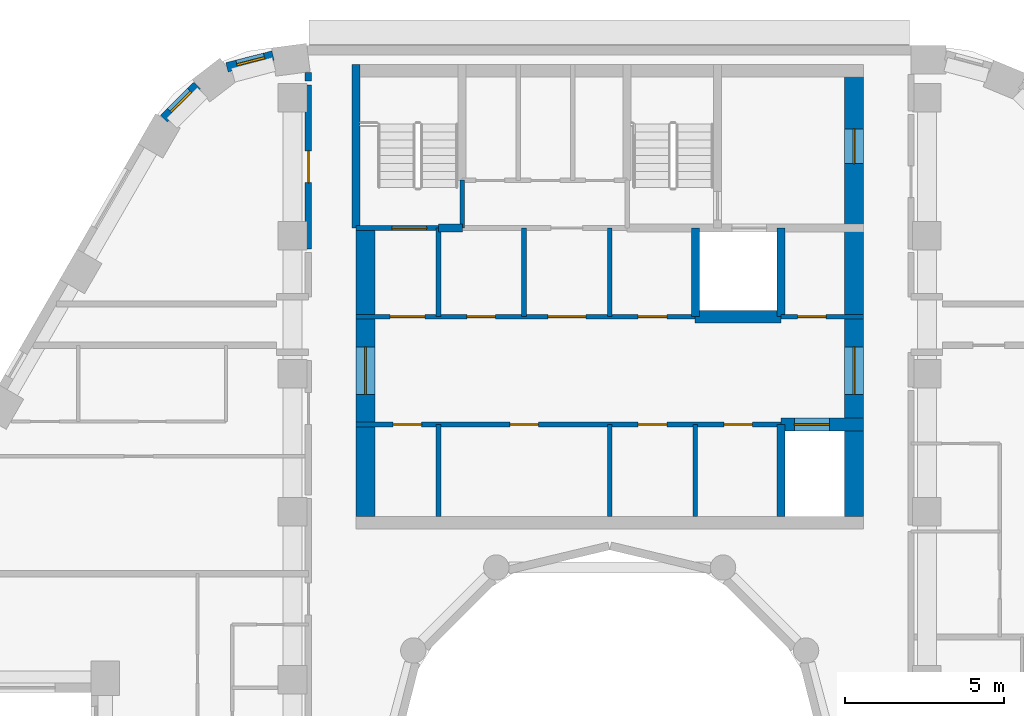
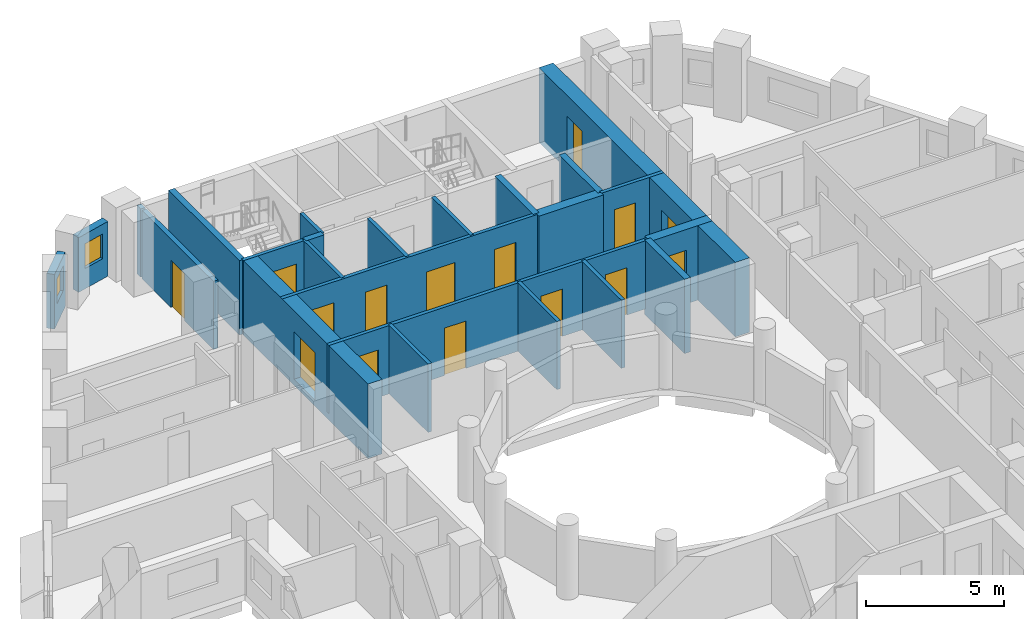
# One storey, part 7 of 12: 24 walls, 15 doors, 2 windows, 17 openings.
"""IFC4 building model written with IfcOpenShell, lengths in metres."""

from ifc_helpers import new_model, si_unit, direction, frame, frame_2d, origin, place, context, subcontext, project, spatial, rectangle, extrude, material, layer, layer_set, type_object, element, fill, save


model = new_model("IFC4")

# Units and contexts
model_context = context("Model", 3, precision=1e-05, world=origin(), true_north=direction((0.0, 1.0)))
body_context = subcontext(model_context, "Body", "Model", "MODEL_VIEW")
ifc_project = project(units=[si_unit("LENGTHUNIT", "METRE"), si_unit("AREAUNIT", "SQUARE_METRE"), si_unit("VOLUMEUNIT", "CUBIC_METRE"), si_unit("PLANEANGLEUNIT", "RADIAN"), si_unit("MASSUNIT", "GRAM", prefix="KILO")], contexts=[model_context])

# Site, building, storey
site_placement = place(None, origin())
site = spatial("IfcSite", under=ifc_project, at=site_placement, CompositionType="ELEMENT")
building_placement = place(site_placement, origin())
building = spatial("IfcBuilding", under=site, at=building_placement, Name="Nakaniwa Court", CompositionType="ELEMENT")
storey_placement = place(building_placement, frame((0.0, 0.0, 255.89990234375)))
storey = spatial("IfcBuildingStorey", under=building, at=storey_placement, Name="L67", CompositionType="ELEMENT", Elevation=255.89990234375)

# Wall, opening, door
ifc_material_1 = material(Name="Acoustic double stud partition")
ifc_layer_1 = layer(ifc_material_1, 0.199951171875)
ifc_layer_set_1 = layer_set([ifc_layer_1], Name="Acoustic double stud partition")
wall_type_1 = type_object("IfcWallType", Name="Acoustic double stud partition 200", PredefinedType="PARTITIONING", material=ifc_layer_set_1)
wall_1_placement = place(storey_placement, frame((70.5, 96.237060546875, 0.0), z_axis=(0.0, 0.0, 1.0), x_axis=(0.0, 1.0, 0.0)))
wall_1 = element("IfcWall", 1, at=wall_1_placement, inside=storey, type_object=wall_type_1, Name="Partition PW-094", PredefinedType="PARTITIONING", context=body_context, shape_type="SweptSolid", body=[
    extrude(rectangle(XDim=5.176025390625, YDim=0.199951171875, at=frame_2d((2.587890625, 0.0))), origin(), (0.0, 0.0, 1.0), 3.025146484375),
])
opening_1_placement = place(wall_1_placement, frame((2.087890625, 0.0, 0.0)))
opening_1 = element("IfcOpeningElement", 2, at=opening_1_placement, cuts=wall_1, Name="Opening D-02-06", PredefinedType="OPENING", context=body_context, shape_type="SweptSolid", body=[
    extrude(rectangle(XDim=1.0, YDim=2.10009765625, at=frame_2d((0.5, 1.050048828125))), frame((0.0, 0.10986328125, 0.0), z_axis=(0.0, -1.0, 0.0), x_axis=(1.0, 0.0, 0.0)), (0.0, 0.0, 1.0), 0.219970703125),
])
ifc_material_2 = material(Name="Solid core timber door set, black veneer", Category="wood")
door_type_1 = type_object("IfcDoorType", Name="Internal door 1000", OperationType="NOTDEFINED", PredefinedType="DOOR", material=ifc_material_2)
door_1_placement = place(opening_1_placement, origin())
door_1 = element("IfcDoor", 3, at=door_1_placement, inside=storey, type_object=door_type_1, Name="Door D-02-06 L67-062", OperationType="SINGLE_SWING_LEFT", OverallHeight=2.10009765625, OverallWidth=1.0, PredefinedType="DOOR", context=body_context, shape_type="SweptSolid", body=[
    extrude(rectangle(XDim=1.0, YDim=2.10009765625, at=frame_2d((0.5, 1.050048828125))), frame((0.0, 0.02490234375, 0.0), z_axis=(0.0, -1.0, 0.0), x_axis=(1.0, 0.0, 0.0)), (0.0, 0.0, 1.0), 0.050048828125),
])
fill(opening_1, door_1)

# Wall
wall_2_placement = place(storey_placement, frame((70.5, 101.527099609375, 0.0), z_axis=(0.0, 0.0, 1.0), x_axis=(0.0, 1.0, 0.0)))
element("IfcWall", 4, at=wall_2_placement, inside=storey, type_object=wall_type_1, Name="Partition PW-095", PredefinedType="PARTITIONING", context=body_context, shape_type="SweptSolid", body=[
    extrude(rectangle(XDim=0.273681640625, YDim=0.199951171875, at=frame_2d((0.13671875, 0.0))), origin(), (0.0, 0.0, 1.0), 3.025146484375),
])

# Wall, opening, window
ifc_material_3 = material(Name="Charcoal ceramic cladding")
ifc_layer_2 = layer(ifc_material_3, 0.02, Name="Ceramic cladding")
ifc_material_4 = material(Name="Ventilated air cavity")
ifc_layer_3 = layer(ifc_material_4, 0.04, ventilated=True, Name="Ventilated cavity")
ifc_material_5 = material(Name="Mineral wool insulation")
ifc_layer_4 = layer(ifc_material_5, 0.1, Name="Insulation")
ifc_material_6 = material(Name="Cement bonded sheathing board")
ifc_layer_5 = layer(ifc_material_6, 0.012, Name="Sheathing")
ifc_material_7 = material(Name="Cold-formed galvanised stud frame with mineral wool infill")
ifc_layer_6 = layer(ifc_material_7, 0.1, Name="Stud frame")
ifc_material_8 = material(Name="Fire-rated gypsum plasterboard lining")
ifc_layer_7 = layer(ifc_material_8, 0.028, Name="Lining")
ifc_layer_set_2 = layer_set([ifc_layer_2, ifc_layer_3, ifc_layer_4, ifc_layer_5, ifc_layer_6, ifc_layer_7], Name="Charcoal ceramic faced external wall system")
wall_type_2 = type_object("IfcWallType", Name="Black ceramic faced external wall 300", PredefinedType="SOLIDWALL", material=ifc_layer_set_2)
wall_3_placement = place(storey_placement, frame((69.386474609375, 102.333251953125, 0.0), z_axis=(0.0, 0.0, 1.0), x_axis=(-0.968895303033, -0.247470991757, 0.0)))
wall_3 = element("IfcWall", 5, at=wall_3_placement, inside=storey, type_object=wall_type_2, Name="L67 external wall 09", PredefinedType="SOLIDWALL", context=body_context, shape_type="SweptSolid", body=[
    extrude(rectangle(XDim=1.50048828125, YDim=0.300048828125, at=frame_2d((0.750244140625, 0.0))), origin(), (0.0, 0.0, 1.0), 2.425048828125),
])
opening_2_placement = place(wall_3_placement, frame((0.27587890625, 0.0, 0.89990234375)))
opening_2 = element("IfcOpeningElement", 6, at=opening_2_placement, cuts=wall_3, Name="Opening W9.10", PredefinedType="OPENING", context=body_context, shape_type="SweptSolid", body=[
    extrude(rectangle(XDim=0.89990234375, YDim=1.10009765625, at=frame_2d((0.449951171875, 0.550048828125))), frame((0.0, 0.159912109375, 0.0), z_axis=(0.0, -1.0, 0.0), x_axis=(1.0, 0.0, 0.0)), (0.0, 0.0, 1.0), 0.320068359375),
])
ifc_material_9 = material(Name="Black anodised aluminium frame with dark low-E laminated double glazing", Category="aluminium")
window_type = type_object("IfcWindowType", Name="Dark glass window 900x1100 sill 900", PartitioningType="SINGLE_PANEL", PredefinedType="WINDOW", material=ifc_material_9)
window_1_placement = place(opening_2_placement, origin())
window_1 = element("IfcWindow", 7, at=window_1_placement, inside=storey, type_object=window_type, Name="L67 habitable room window 09-0", OverallHeight=1.10009765625, OverallWidth=0.89990234375, PartitioningType="SINGLE_PANEL", PredefinedType="WINDOW", context=body_context, shape_type="SweptSolid", body=[
    extrude(rectangle(XDim=0.89990234375, YDim=1.10009765625, at=frame_2d((0.449951171875, 0.550048828125))), frame((0.0, 0.030029296875, 0.0), z_axis=(0.0, -1.0, 0.0), x_axis=(1.0, 0.0, 0.0)), (0.0, 0.0, 1.0), 0.06005859375),
])
fill(opening_2, window_1)

wall_4_placement = place(storey_placement, frame((66.99560546875, 101.388427734375, 0.0), z_axis=(0.0, 0.0, 1.0), x_axis=(-0.708589353117, -0.705621094249, 0.0)))
wall_4 = element("IfcWall", 8, at=wall_4_placement, inside=storey, type_object=wall_type_2, Name="L67 external wall 10", PredefinedType="SOLIDWALL", context=body_context, shape_type="SweptSolid", body=[
    extrude(rectangle(XDim=1.48046875, YDim=0.300048828125, at=frame_2d((0.740234375, 0.0))), origin(), (0.0, 0.0, 1.0), 2.425048828125),
])
opening_3_placement = place(wall_4_placement, frame((0.27978515625, 0.0, 0.89990234375)))
opening_3 = element("IfcOpeningElement", 9, at=opening_3_placement, cuts=wall_4, Name="Opening W9.11", PredefinedType="OPENING", context=body_context, shape_type="SweptSolid", body=[
    extrude(rectangle(XDim=0.89990234375, YDim=1.10009765625, at=frame_2d((0.449951171875, 0.550048828125))), frame((0.0, 0.159912109375, 0.0), z_axis=(0.0, -1.0, 0.0), x_axis=(1.0, 0.0, 0.0)), (0.0, 0.0, 1.0), 0.320068359375),
])
window_2_placement = place(opening_3_placement, origin())
window_2 = element("IfcWindow", 10, at=window_2_placement, inside=storey, type_object=window_type, Name="L67 habitable room window 10-0", OverallHeight=1.10009765625, OverallWidth=0.89990234375, PartitioningType="SINGLE_PANEL", PredefinedType="WINDOW", context=body_context, shape_type="SweptSolid", body=[
    extrude(rectangle(XDim=0.89990234375, YDim=1.10009765625, at=frame_2d((0.449951171875, 0.550048828125))), frame((0.0, 0.030029296875, 0.0), z_axis=(0.0, -1.0, 0.0), x_axis=(1.0, 0.0, 0.0)), (0.0, 0.0, 1.0), 0.06005859375),
])
fill(opening_3, window_2)

# Walls
ifc_material_10 = material(Name="Blockwork partition", Category="masonry")
ifc_layer_8 = layer(ifc_material_10, 0.14990234375)
ifc_layer_set_3 = layer_set([ifc_layer_8], Name="Blockwork partition")
wall_type_3 = type_object("IfcWallType", Name="Blockwork partition 150", PredefinedType="PARTITIONING", material=ifc_layer_set_3)
wall_5_placement = place(storey_placement, frame((74.60009765625, 87.800048828125, 0.0), z_axis=(0.0, 0.0, 1.0), x_axis=(0.0, 1.0, 0.0)))
element("IfcWall", 11, at=wall_5_placement, inside=storey, type_object=wall_type_3, Name="Partition PW-001", PredefinedType="PARTITIONING", context=body_context, shape_type="SweptSolid", body=[
    extrude(rectangle(XDim=2.89990234375, YDim=0.14990234375, at=frame_2d((1.449951171875, 0.0))), origin(), (0.0, 0.0, 1.0), 3.025146484375),
])
wall_6_placement = place(storey_placement, frame((74.60009765625, 94.10009765625, 0.0), z_axis=(0.0, 0.0, 1.0), x_axis=(0.0, 1.0, 0.0)))
element("IfcWall", 12, at=wall_6_placement, inside=storey, type_object=wall_type_3, Name="Partition PW-002", PredefinedType="PARTITIONING", context=body_context, shape_type="SweptSolid", body=[
    extrude(rectangle(XDim=2.7998046875, YDim=0.14990234375, at=frame_2d((1.39990234375, 0.0))), origin(), (0.0, 0.0, 1.0), 3.025146484375),
])

# Wall, openings, doors
wall_7_placement = place(storey_placement, frame((85.39990234375, 90.699951171875, 0.0), z_axis=(0.0, 0.0, 1.0), x_axis=(-1.0, 0.0, 0.0)))
wall_7 = element("IfcWall", 13, at=wall_7_placement, inside=storey, type_object=wall_type_3, Name="Partition PW-003", PredefinedType="PARTITIONING", context=body_context, shape_type="SweptSolid", body=[
    extrude(rectangle(XDim=13.39990234375, YDim=0.14990234375, at=frame_2d((6.699951171875, 0.0))), origin(), (0.0, 0.0, 1.0), 3.025146484375),
])
opening_4_placement = place(wall_7_placement, frame((11.324951171875, 0.0, 0.0)))
opening_4 = element("IfcOpeningElement", 14, at=opening_4_placement, cuts=wall_7, Name="Opening D-05-01", PredefinedType="OPENING", context=body_context, shape_type="SweptSolid", body=[
    extrude(rectangle(XDim=0.89990234375, YDim=2.10009765625, at=frame_2d((0.449951171875, 1.050048828125))), frame((0.0, 0.0849609375, 0.0), z_axis=(0.0, -1.0, 0.0), x_axis=(1.0, 0.0, 0.0)), (0.0, 0.0, 1.0), 0.169921875),
])
opening_5_placement = place(wall_7_placement, frame((7.64990234375, 0.0, 0.0)))
opening_5 = element("IfcOpeningElement", 15, at=opening_5_placement, cuts=wall_7, Name="Opening D-05-02", PredefinedType="OPENING", context=body_context, shape_type="SweptSolid", body=[
    extrude(rectangle(XDim=0.89990234375, YDim=2.10009765625, at=frame_2d((0.449951171875, 1.050048828125))), frame((0.0, 0.0849609375, 0.0), z_axis=(0.0, -1.0, 0.0), x_axis=(1.0, 0.0, 0.0)), (0.0, 0.0, 1.0), 0.169921875),
])
opening_6_placement = place(wall_7_placement, frame((3.60009765625, 0.0, 0.0)))
opening_6 = element("IfcOpeningElement", 16, at=opening_6_placement, cuts=wall_7, Name="Opening D-05-03", PredefinedType="OPENING", context=body_context, shape_type="SweptSolid", body=[
    extrude(rectangle(XDim=0.89990234375, YDim=2.10009765625, at=frame_2d((0.449951171875, 1.050048828125))), frame((0.0, 0.0849609375, 0.0), z_axis=(0.0, -1.0, 0.0), x_axis=(1.0, 0.0, 0.0)), (0.0, 0.0, 1.0), 0.169921875),
])
opening_7_placement = place(wall_7_placement, frame((0.89990234375, 0.0, 0.0)))
opening_7 = element("IfcOpeningElement", 17, at=opening_7_placement, cuts=wall_7, Name="Opening D-05-04", PredefinedType="OPENING", context=body_context, shape_type="SweptSolid", body=[
    extrude(rectangle(XDim=0.89990234375, YDim=2.10009765625, at=frame_2d((0.449951171875, 1.050048828125))), frame((0.0, 0.0849609375, 0.0), z_axis=(0.0, -1.0, 0.0), x_axis=(1.0, 0.0, 0.0)), (0.0, 0.0, 1.0), 0.169921875),
])
ifc_material_11 = material(Name="Fire rated steel door set", Category="steel")
door_type_2 = type_object("IfcDoorType", Name="Service room door 900", OperationType="NOTDEFINED", PredefinedType="DOOR", material=ifc_material_11)
door_2_placement = place(opening_4_placement, origin())
door_2 = element("IfcDoor", 18, at=door_2_placement, inside=storey, type_object=door_type_2, Name="Door D-05-01 L67-001", OperationType="SINGLE_SWING_RIGHT", OverallHeight=2.10009765625, OverallWidth=0.89990234375, PredefinedType="DOOR", context=body_context, shape_type="SweptSolid", body=[
    extrude(rectangle(XDim=0.89990234375, YDim=2.10009765625, at=frame_2d((0.449951171875, 1.050048828125))), frame((0.0, 0.02490234375, 0.0), z_axis=(0.0, -1.0, 0.0), x_axis=(1.0, 0.0, 0.0)), (0.0, 0.0, 1.0), 0.050048828125),
])
fill(opening_4, door_2)
door_3_placement = place(opening_5_placement, origin())
door_3 = element("IfcDoor", 19, at=door_3_placement, inside=storey, type_object=door_type_2, Name="Door D-05-02 L67-002", OperationType="SINGLE_SWING_LEFT", OverallHeight=2.10009765625, OverallWidth=0.89990234375, PredefinedType="DOOR", context=body_context, shape_type="SweptSolid", body=[
    extrude(rectangle(XDim=0.89990234375, YDim=2.10009765625, at=frame_2d((0.449951171875, 1.050048828125))), frame((0.0, 0.02490234375, 0.0), z_axis=(0.0, -1.0, 0.0), x_axis=(1.0, 0.0, 0.0)), (0.0, 0.0, 1.0), 0.050048828125),
])
fill(opening_5, door_3)
door_4_placement = place(opening_6_placement, origin())
door_4 = element("IfcDoor", 20, at=door_4_placement, inside=storey, type_object=door_type_2, Name="Door D-05-03 L67-003", OperationType="SINGLE_SWING_RIGHT", OverallHeight=2.10009765625, OverallWidth=0.89990234375, PredefinedType="DOOR", context=body_context, shape_type="SweptSolid", body=[
    extrude(rectangle(XDim=0.89990234375, YDim=2.10009765625, at=frame_2d((0.449951171875, 1.050048828125))), frame((0.0, 0.02490234375, 0.0), z_axis=(0.0, -1.0, 0.0), x_axis=(1.0, 0.0, 0.0)), (0.0, 0.0, 1.0), 0.050048828125),
])
fill(opening_6, door_4)
door_5_placement = place(opening_7_placement, origin())
door_5 = element("IfcDoor", 21, at=door_5_placement, inside=storey, type_object=door_type_2, Name="Door D-05-04 L67-004", OperationType="SINGLE_SWING_LEFT", OverallHeight=2.10009765625, OverallWidth=0.89990234375, PredefinedType="DOOR", context=body_context, shape_type="SweptSolid", body=[
    extrude(rectangle(XDim=0.89990234375, YDim=2.10009765625, at=frame_2d((0.449951171875, 1.050048828125))), frame((0.0, 0.02490234375, 0.0), z_axis=(0.0, -1.0, 0.0), x_axis=(1.0, 0.0, 0.0)), (0.0, 0.0, 1.0), 0.050048828125),
])
fill(opening_7, door_5)

# Walls
wall_8_placement = place(storey_placement, frame((80.0, 87.800048828125, 0.0), z_axis=(0.0, 0.0, 1.0), x_axis=(0.0, 1.0, 0.0)))
element("IfcWall", 22, at=wall_8_placement, inside=storey, type_object=wall_type_3, Name="Partition PW-009", PredefinedType="PARTITIONING", context=body_context, shape_type="SweptSolid", body=[
    extrude(rectangle(XDim=2.89990234375, YDim=0.14990234375, at=frame_2d((1.449951171875, 0.0))), origin(), (0.0, 0.0, 1.0), 3.025146484375),
])
wall_9_placement = place(storey_placement, frame((80.0, 94.10009765625, 0.0), z_axis=(0.0, 0.0, 1.0), x_axis=(0.0, 1.0, 0.0)))
element("IfcWall", 23, at=wall_9_placement, inside=storey, type_object=wall_type_3, Name="Partition PW-010", PredefinedType="PARTITIONING", context=body_context, shape_type="SweptSolid", body=[
    extrude(rectangle(XDim=2.7998046875, YDim=0.14990234375, at=frame_2d((1.39990234375, 0.0))), origin(), (0.0, 0.0, 1.0), 3.025146484375),
])
wall_10_placement = place(storey_placement, frame((82.699951171875, 87.800048828125, 0.0), z_axis=(0.0, 0.0, 1.0), x_axis=(0.0, 1.0, 0.0)))
element("IfcWall", 24, at=wall_10_placement, inside=storey, type_object=wall_type_3, Name="Partition PW-011", PredefinedType="PARTITIONING", context=body_context, shape_type="SweptSolid", body=[
    extrude(rectangle(XDim=2.89990234375, YDim=0.14990234375, at=frame_2d((1.449951171875, 0.0))), origin(), (0.0, 0.0, 1.0), 3.025146484375),
])

# Wall, openings, doors
wall_11_placement = place(storey_placement, frame((72.0, 94.10009765625, 0.0), z_axis=(0.0, 0.0, 1.0), x_axis=(1.0, 0.0, 0.0)))
wall_11 = element("IfcWall", 25, at=wall_11_placement, inside=storey, type_object=wall_type_3, Name="Partition PW-012", PredefinedType="PARTITIONING", context=body_context, shape_type="SweptSolid", body=[
    extrude(rectangle(XDim=10.702880859375, YDim=0.14990234375, at=frame_2d((5.3515625, 0.0))), origin(), (0.0, 0.0, 1.0), 3.025146484375),
])
opening_8_placement = place(wall_11_placement, frame((1.074951171875, 0.0, 0.0)))
opening_8 = element("IfcOpeningElement", 26, at=opening_8_placement, cuts=wall_11, Name="Opening D-08-01", PredefinedType="OPENING", context=body_context, shape_type="SweptSolid", body=[
    extrude(rectangle(XDim=1.10009765625, YDim=2.10009765625, at=frame_2d((0.550048828125, 1.050048828125))), frame((0.0, 0.0849609375, 0.0), z_axis=(0.0, -1.0, 0.0), x_axis=(1.0, 0.0, 0.0)), (0.0, 0.0, 1.0), 0.169921875),
])
opening_9_placement = place(wall_11_placement, frame((3.5, 0.0, 0.0)))
opening_9 = element("IfcOpeningElement", 27, at=opening_9_placement, cuts=wall_11, Name="Opening D-05-05", PredefinedType="OPENING", context=body_context, shape_type="SweptSolid", body=[
    extrude(rectangle(XDim=0.89990234375, YDim=2.10009765625, at=frame_2d((0.449951171875, 1.050048828125))), frame((0.0, 0.0849609375, 0.0), z_axis=(0.0, -1.0, 0.0), x_axis=(1.0, 0.0, 0.0)), (0.0, 0.0, 1.0), 0.169921875),
])
opening_10_placement = place(wall_11_placement, frame((6.050048828125, 0.0, 0.0)))
opening_10 = element("IfcOpeningElement", 28, at=opening_10_placement, cuts=wall_11, Name="Opening D-06-01", PredefinedType="OPENING", context=body_context, shape_type="SweptSolid", body=[
    extrude(rectangle(XDim=1.199951171875, YDim=2.10009765625, at=frame_2d((0.60009765625, 1.050048828125))), frame((0.0, 0.0849609375, 0.0), z_axis=(0.0, -1.0, 0.0), x_axis=(1.0, 0.0, 0.0)), (0.0, 0.0, 1.0), 0.169921875),
])
opening_11_placement = place(wall_11_placement, frame((8.89990234375, 0.0, 0.0)))
opening_11 = element("IfcOpeningElement", 29, at=opening_11_placement, cuts=wall_11, Name="Opening D-05-06", PredefinedType="OPENING", context=body_context, shape_type="SweptSolid", body=[
    extrude(rectangle(XDim=0.89990234375, YDim=2.10009765625, at=frame_2d((0.449951171875, 1.050048828125))), frame((0.0, 0.0849609375, 0.0), z_axis=(0.0, -1.0, 0.0), x_axis=(1.0, 0.0, 0.0)), (0.0, 0.0, 1.0), 0.169921875),
])
ifc_material_12 = material(Name="Fire rated steel double door set", Category="steel")
door_type_3 = type_object("IfcDoorType", Name="Service passage double door 1200", OperationType="NOTDEFINED", PredefinedType="DOOR", material=ifc_material_12)
door_6_placement = place(opening_10_placement, origin())
door_6 = element("IfcDoor", 30, at=door_6_placement, inside=storey, type_object=door_type_3, Name="Door D-06-01 L67-007", OperationType="DOUBLE_DOOR_SINGLE_SWING", OverallHeight=2.10009765625, OverallWidth=1.199951171875, PredefinedType="DOOR", context=body_context, shape_type="SweptSolid", body=[
    extrude(rectangle(XDim=1.199951171875, YDim=2.10009765625, at=frame_2d((0.60009765625, 1.050048828125))), frame((0.0, 0.02490234375, 0.0), z_axis=(0.0, -1.0, 0.0), x_axis=(1.0, 0.0, 0.0)), (0.0, 0.0, 1.0), 0.050048828125),
])
fill(opening_10, door_6)
door_7_placement = place(opening_9_placement, origin())
door_7 = element("IfcDoor", 31, at=door_7_placement, inside=storey, type_object=door_type_2, Name="Door D-05-05 L67-006", OperationType="SINGLE_SWING_LEFT", OverallHeight=2.10009765625, OverallWidth=0.89990234375, PredefinedType="DOOR", context=body_context, shape_type="SweptSolid", body=[
    extrude(rectangle(XDim=0.89990234375, YDim=2.10009765625, at=frame_2d((0.449951171875, 1.050048828125))), frame((0.0, 0.02490234375, 0.0), z_axis=(0.0, -1.0, 0.0), x_axis=(1.0, 0.0, 0.0)), (0.0, 0.0, 1.0), 0.050048828125),
])
fill(opening_9, door_7)
door_8_placement = place(opening_11_placement, origin())
door_8 = element("IfcDoor", 32, at=door_8_placement, inside=storey, type_object=door_type_2, Name="Door D-05-06 L67-008", OperationType="SINGLE_SWING_LEFT", OverallHeight=2.10009765625, OverallWidth=0.89990234375, PredefinedType="DOOR", context=body_context, shape_type="SweptSolid", body=[
    extrude(rectangle(XDim=0.89990234375, YDim=2.10009765625, at=frame_2d((0.449951171875, 1.050048828125))), frame((0.0, 0.02490234375, 0.0), z_axis=(0.0, -1.0, 0.0), x_axis=(1.0, 0.0, 0.0)), (0.0, 0.0, 1.0), 0.050048828125),
])
fill(opening_11, door_8)
door_type_4 = type_object("IfcDoorType", Name="Stair lobby door 1100", OperationType="NOTDEFINED", PredefinedType="DOOR", material=ifc_material_11)
door_9_placement = place(opening_8_placement, origin())
door_9 = element("IfcDoor", 33, at=door_9_placement, inside=storey, type_object=door_type_4, Name="Door D-08-01 L67-005", OperationType="SINGLE_SWING_RIGHT", OverallHeight=2.10009765625, OverallWidth=1.10009765625, PredefinedType="DOOR", context=body_context, shape_type="SweptSolid", body=[
    extrude(rectangle(XDim=1.10009765625, YDim=2.10009765625, at=frame_2d((0.550048828125, 1.050048828125))), frame((0.0, 0.02490234375, 0.0), z_axis=(0.0, -1.0, 0.0), x_axis=(1.0, 0.0, 0.0)), (0.0, 0.0, 1.0), 0.050048828125),
])
fill(opening_8, door_9)

# Wall, opening, door
wall_12_placement = place(storey_placement, frame((85.39697265625, 94.10009765625, 0.0), z_axis=(0.0, 0.0, 1.0), x_axis=(1.0, 0.0, 0.0)))
wall_12 = element("IfcWall", 34, at=wall_12_placement, inside=storey, type_object=wall_type_3, Name="Partition PW-013", PredefinedType="PARTITIONING", context=body_context, shape_type="SweptSolid", body=[
    extrude(rectangle(XDim=2.60302734375, YDim=0.14990234375, at=frame_2d((1.301513671875, 0.0))), origin(), (0.0, 0.0, 1.0), 3.025146484375),
])
opening_12_placement = place(wall_12_placement, frame((0.528076171875, 0.0, 0.0)))
opening_12 = element("IfcOpeningElement", 35, at=opening_12_placement, cuts=wall_12, Name="Opening D-05-07", PredefinedType="OPENING", context=body_context, shape_type="SweptSolid", body=[
    extrude(rectangle(XDim=0.89990234375, YDim=2.10009765625, at=frame_2d((0.449951171875, 1.050048828125))), frame((0.0, 0.0849609375, 0.0), z_axis=(0.0, -1.0, 0.0), x_axis=(1.0, 0.0, 0.0)), (0.0, 0.0, 1.0), 0.169921875),
])
door_10_placement = place(opening_12_placement, origin())
door_10 = element("IfcDoor", 36, at=door_10_placement, inside=storey, type_object=door_type_2, Name="Door D-05-07 L67-009", OperationType="SINGLE_SWING_RIGHT", OverallHeight=2.10009765625, OverallWidth=0.89990234375, PredefinedType="DOOR", context=body_context, shape_type="SweptSolid", body=[
    extrude(rectangle(XDim=0.89990234375, YDim=2.10009765625, at=frame_2d((0.449951171875, 1.050048828125))), frame((0.0, 0.02490234375, 0.0), z_axis=(0.0, -1.0, 0.0), x_axis=(1.0, 0.0, 0.0)), (0.0, 0.0, 1.0), 0.050048828125),
])
fill(opening_12, door_10)

# Wall
wall_13_placement = place(storey_placement, frame((77.300048828125, 94.10009765625, 0.0), z_axis=(0.0, 0.0, 1.0), x_axis=(0.0, 1.0, 0.0)))
element("IfcWall", 37, at=wall_13_placement, inside=storey, type_object=wall_type_3, Name="Partition PW-016", PredefinedType="PARTITIONING", context=body_context, shape_type="SweptSolid", body=[
    extrude(rectangle(XDim=2.7998046875, YDim=0.14990234375, at=frame_2d((1.39990234375, 0.0))), origin(), (0.0, 0.0, 1.0), 3.025146484375),
])

# Wall, opening, door
ifc_material_13 = material(Name="Concrete C80/100", Category="concrete")
ifc_layer_9 = layer(ifc_material_13, 0.60009765625)
ifc_layer_set_4 = layer_set([ifc_layer_9], Name="Concrete C80/100")
wall_type_4 = type_object("IfcWallType", Name="Concrete core side wall 600 C80", PredefinedType="SHEAR", material=ifc_layer_set_4)
wall_14_placement = place(storey_placement, frame((72.300048828125, 87.800048828125, -0.27490234375), z_axis=(0.0, 0.0, 1.0), x_axis=(0.0, 1.0, 0.0)))
wall_14 = element("IfcWall", 38, at=wall_14_placement, inside=storey, type_object=wall_type_4, Name="Core wall SW-04", PredefinedType="SHEAR", context=body_context, shape_type="SweptSolid", body=[
    extrude(rectangle(XDim=9.099853515625, YDim=0.60009765625, at=frame_2d((4.5498046875, 0.0))), origin(), (0.0, 0.0, 1.0), 3.300048828125),
])
opening_13_placement = place(wall_14_placement, frame((3.85009765625, 0.0, 0.27490234375)))
opening_13 = element("IfcOpeningElement", 39, at=opening_13_placement, cuts=wall_14, Name="Opening D-07-02", PredefinedType="OPENING", context=body_context, shape_type="SweptSolid", body=[
    extrude(rectangle(XDim=1.5, YDim=2.10009765625, at=frame_2d((0.75, 1.050048828125))), frame((0.0, 0.31005859375, 0.0), z_axis=(0.0, -1.0, 0.0), x_axis=(1.0, 0.0, 0.0)), (0.0, 0.0, 1.0), 0.6201171875),
])
ifc_material_14 = material(Name="Glazed fire rated steel double door set", Category="steel")
door_type_5 = type_object("IfcDoorType", Name="Lobby double door 1500", OperationType="NOTDEFINED", PredefinedType="DOOR", material=ifc_material_14)
door_11_placement = place(opening_13_placement, origin())
door_11 = element("IfcDoor", 40, at=door_11_placement, inside=storey, type_object=door_type_5, Name="Door D-07-02 L67-064", OperationType="DOUBLE_DOOR_SINGLE_SWING", OverallHeight=2.10009765625, OverallWidth=1.5, PredefinedType="DOOR", context=body_context, shape_type="SweptSolid", body=[
    extrude(rectangle(XDim=1.5, YDim=2.10009765625, at=frame_2d((0.75, 1.050048828125))), frame((0.0, 0.02490234375, 0.0), z_axis=(0.0, -1.0, 0.0), x_axis=(1.0, 0.0, 0.0)), (0.0, 0.0, 1.0), 0.050048828125),
])
fill(opening_13, door_11)

# Wall, openings, doors
wall_15_placement = place(storey_placement, frame((87.699951171875, 102.050048828125, -0.27490234375), z_axis=(0.0, 0.0, 1.0), x_axis=(0.0, -1.0, 0.0)))
wall_15 = element("IfcWall", 41, at=wall_15_placement, inside=storey, type_object=wall_type_4, Name="Core wall SW-08", PredefinedType="SHEAR", context=body_context, shape_type="SweptSolid", body=[
    extrude(rectangle(XDim=14.25, YDim=0.60009765625, at=frame_2d((7.125, 0.0))), origin(), (0.0, 0.0, 1.0), 3.300048828125),
])
opening_14_placement = place(wall_15_placement, frame((8.89990234375, 0.0, 0.27490234375)))
opening_14 = element("IfcOpeningElement", 42, at=opening_14_placement, cuts=wall_15, Name="Opening D-07-01", PredefinedType="OPENING", context=body_context, shape_type="SweptSolid", body=[
    extrude(rectangle(XDim=1.5, YDim=2.10009765625, at=frame_2d((0.75, 1.050048828125))), frame((0.0, 0.31005859375, 0.0), z_axis=(0.0, -1.0, 0.0), x_axis=(1.0, 0.0, 0.0)), (0.0, 0.0, 1.0), 0.6201171875),
])
opening_15_placement = place(wall_15_placement, frame((2.02490234375, 0.0, 0.27490234375)))
opening_15 = element("IfcOpeningElement", 43, at=opening_15_placement, cuts=wall_15, Name="Opening D-10-01", PredefinedType="OPENING", context=body_context, shape_type="SweptSolid", body=[
    extrude(rectangle(XDim=1.10009765625, YDim=2.10009765625, at=frame_2d((0.550048828125, 1.050048828125))), frame((0.0, 0.31005859375, 0.0), z_axis=(0.0, -1.0, 0.0), x_axis=(1.0, 0.0, 0.0)), (0.0, 0.0, 1.0), 0.6201171875),
])
door_type_6 = type_object("IfcDoorType", Name="Firefighting lobby door 1100", OperationType="NOTDEFINED", PredefinedType="DOOR", material=ifc_material_11)
door_12_placement = place(opening_15_placement, origin())
door_12 = element("IfcDoor", 44, at=door_12_placement, inside=storey, type_object=door_type_6, Name="Door D-10-01 L67-065", OperationType="SINGLE_SWING_RIGHT", OverallHeight=2.10009765625, OverallWidth=1.10009765625, PredefinedType="DOOR", context=body_context, shape_type="SweptSolid", body=[
    extrude(rectangle(XDim=1.10009765625, YDim=2.10009765625, at=frame_2d((0.550048828125, 1.050048828125))), frame((0.0, 0.02490234375, 0.0), z_axis=(0.0, -1.0, 0.0), x_axis=(1.0, 0.0, 0.0)), (0.0, 0.0, 1.0), 0.050048828125),
])
fill(opening_15, door_12)
door_13_placement = place(opening_14_placement, origin())
door_13 = element("IfcDoor", 45, at=door_13_placement, inside=storey, type_object=door_type_5, Name="Door D-07-01 L67-063", OperationType="DOUBLE_DOOR_SINGLE_SWING", OverallHeight=2.10009765625, OverallWidth=1.5, PredefinedType="DOOR", context=body_context, shape_type="SweptSolid", body=[
    extrude(rectangle(XDim=1.5, YDim=2.10009765625, at=frame_2d((0.75, 1.050048828125))), frame((0.0, 0.02490234375, 0.0), z_axis=(0.0, -1.0, 0.0), x_axis=(1.0, 0.0, 0.0)), (0.0, 0.0, 1.0), 0.050048828125),
])
fill(opening_14, door_13)

# Wall, opening, door
ifc_layer_10 = layer(ifc_material_13, 0.39990234375)
ifc_layer_set_5 = layer_set([ifc_layer_10], Name="Concrete C80/100")
wall_type_5 = type_object("IfcWallType", Name="Concrete core spine wall 400 C80", PredefinedType="SHEAR", material=ifc_layer_set_5)
wall_16_placement = place(storey_placement, frame((85.39990234375, 90.699951171875, -0.27490234375), z_axis=(0.0, 0.0, 1.0), x_axis=(1.0, 0.0, 0.0)))
wall_16 = element("IfcWall", 46, at=wall_16_placement, inside=storey, type_object=wall_type_5, Name="Core wall SW-07", PredefinedType="SHEAR", context=body_context, shape_type="SweptSolid", body=[
    extrude(rectangle(XDim=2.60009765625, YDim=0.39990234375, at=frame_2d((1.300048828125, 0.0))), origin(), (0.0, 0.0, 1.0), 3.300048828125),
])
opening_16_placement = place(wall_16_placement, frame((0.425048828125, 0.0, 0.27490234375)))
opening_16 = element("IfcOpeningElement", 47, at=opening_16_placement, cuts=wall_16, Name="Opening LD01", PredefinedType="OPENING", context=body_context, shape_type="SweptSolid", body=[
    extrude(rectangle(XDim=1.10009765625, YDim=2.10009765625, at=frame_2d((0.550048828125, 1.050048828125))), frame((0.0, 0.2099609375, 0.0), z_axis=(0.0, -1.0, 0.0), x_axis=(1.0, 0.0, 0.0)), (0.0, 0.0, 1.0), 0.419921875),
])
ifc_material_15 = material(Name="Stainless steel sliding lift landing door", Category="steel")
door_type_7 = type_object("IfcDoorType", Name="Lift landing door 1100", OperationType="NOTDEFINED", PredefinedType="DOOR", material=ifc_material_15)
door_14_placement = place(opening_16_placement, origin())
door_14 = element("IfcDoor", 48, at=door_14_placement, inside=storey, type_object=door_type_7, Name="Lift landing door LD01 L67-001", OperationType="SLIDING_TO_LEFT", OverallHeight=2.10009765625, OverallWidth=1.10009765625, PredefinedType="DOOR", context=body_context, shape_type="SweptSolid", body=[
    extrude(rectangle(XDim=1.10009765625, YDim=2.10009765625, at=frame_2d((0.550048828125, 1.050048828125))), frame((0.0, 0.02490234375, 0.0), z_axis=(0.0, -1.0, 0.0), x_axis=(1.0, 0.0, 0.0)), (0.0, 0.0, 1.0), 0.050048828125),
])
fill(opening_16, door_14)

# Wall
wall_17_placement = place(storey_placement, frame((82.697021484375, 94.10009765625, -0.27490234375), z_axis=(0.0, 0.0, 1.0), x_axis=(1.0, 0.0, 0.0)))
element("IfcWall", 49, at=wall_17_placement, inside=storey, type_object=wall_type_5, Name="Core wall SW-14", PredefinedType="SHEAR", context=body_context, shape_type="SweptSolid", body=[
    extrude(rectangle(XDim=2.7060546875, YDim=0.39990234375, at=frame_2d((1.35302734375, 0.0))), origin(), (0.0, 0.0, 1.0), 3.300048828125),
])

# Wall, opening, door
ifc_layer_11 = layer(ifc_material_13, 0.14990234375)
ifc_layer_set_6 = layer_set([ifc_layer_11], Name="Concrete C80/100")
wall_type_6 = type_object("IfcWallType", Name="Concrete core wall 150 C80", PredefinedType="SHEAR", material=ifc_layer_set_6)
wall_18_placement = place(storey_placement, frame((74.60009765625, 96.89990234375, -0.27490234375), z_axis=(0.0, 0.0, 1.0), x_axis=(-1.0, 0.0, 0.0)))
wall_18 = element("IfcWall", 50, at=wall_18_placement, inside=storey, type_object=wall_type_6, Name="Core wall SW-15", PredefinedType="SHEAR", context=body_context, shape_type="SweptSolid", body=[
    extrude(rectangle(XDim=2.60009765625, YDim=0.14990234375, at=frame_2d((1.300048828125, 0.0))), origin(), (0.0, 0.0, 1.0), 3.300048828125),
])
opening_17_placement = place(wall_18_placement, frame((0.3701171875, 0.0, 0.27490234375)))
opening_17 = element("IfcOpeningElement", 51, at=opening_17_placement, cuts=wall_18, Name="Opening D-09-01", PredefinedType="OPENING", context=body_context, shape_type="SweptSolid", body=[
    extrude(rectangle(XDim=1.10009765625, YDim=2.10009765625, at=frame_2d((0.550048828125, 1.050048828125))), frame((0.0, 0.0849609375, 0.0), z_axis=(0.0, -1.0, 0.0), x_axis=(1.0, 0.0, 0.0)), (0.0, 0.0, 1.0), 0.169921875),
])
door_type_8 = type_object("IfcDoorType", Name="Stair door 1100", OperationType="NOTDEFINED", PredefinedType="DOOR", material=ifc_material_11)
door_15_placement = place(opening_17_placement, origin())
door_15 = element("IfcDoor", 52, at=door_15_placement, inside=storey, type_object=door_type_8, Name="Door D-09-01 L67-014", OperationType="SINGLE_SWING_RIGHT", OverallHeight=2.10009765625, OverallWidth=1.10009765625, PredefinedType="DOOR", context=body_context, shape_type="SweptSolid", body=[
    extrude(rectangle(XDim=1.10009765625, YDim=2.10009765625, at=frame_2d((0.550048828125, 1.050048828125))), frame((0.0, 0.02490234375, 0.0), z_axis=(0.0, -1.0, 0.0), x_axis=(1.0, 0.0, 0.0)), (0.0, 0.0, 1.0), 0.050048828125),
])
fill(opening_17, door_15)

# Walls
wall_19_placement = place(storey_placement, frame((75.35009765625, 96.89990234375, -0.27490234375), z_axis=(0.0, 0.0, 1.0), x_axis=(0.0, 1.0, 0.0)))
element("IfcWall", 53, at=wall_19_placement, inside=storey, type_object=wall_type_6, Name="Core wall SW-21", PredefinedType="SHEAR", context=body_context, shape_type="SweptSolid", body=[
    extrude(rectangle(XDim=1.503173828125, YDim=0.14990234375, at=frame_2d((0.75146484375, 0.0))), origin(), (0.0, 0.0, 1.0), 3.300048828125),
])
ifc_layer_12 = layer(ifc_material_13, 0.25)
ifc_layer_set_7 = layer_set([ifc_layer_12], Name="Concrete C80/100")
wall_type_7 = type_object("IfcWallType", Name="Concrete core wall 250 C80", PredefinedType="SHEAR", material=ifc_layer_set_7)
wall_20_placement = place(storey_placement, frame((72.0, 96.89990234375, -0.27490234375), z_axis=(0.0, 0.0, 1.0), x_axis=(0.0, 1.0, 0.0)))
element("IfcWall", 54, at=wall_20_placement, inside=storey, type_object=wall_type_7, Name="Core wall SW-23", PredefinedType="SHEAR", context=body_context, shape_type="SweptSolid", body=[
    extrude(rectangle(XDim=5.150146484375, YDim=0.25, at=frame_2d((2.5751953125, 0.0))), origin(), (0.0, 0.0, 1.0), 3.300048828125),
])
ifc_layer_13 = layer(ifc_material_13, 0.25)
ifc_layer_set_8 = layer_set([ifc_layer_13], Name="Concrete C80/100")
wall_type_8 = type_object("IfcWallType", Name="Concrete shaft wall 250 C80", PredefinedType="SHEAR", material=ifc_layer_set_8)
wall_21_placement = place(storey_placement, frame((85.39990234375, 87.800048828125, -0.27490234375), z_axis=(0.0, 0.0, 1.0), x_axis=(0.0, 1.0, 0.0)))
element("IfcWall", 55, at=wall_21_placement, inside=storey, type_object=wall_type_8, Name="Core wall SW-05", PredefinedType="SHEAR", context=body_context, shape_type="SweptSolid", body=[
    extrude(rectangle(XDim=2.89990234375, YDim=0.25, at=frame_2d((1.449951171875, 0.0))), origin(), (0.0, 0.0, 1.0), 3.300048828125),
])
wall_22_placement = place(storey_placement, frame((85.39990234375, 94.10009765625, -0.27490234375), z_axis=(0.0, 0.0, 1.0), x_axis=(0.0, 1.0, 0.0)))
element("IfcWall", 56, at=wall_22_placement, inside=storey, type_object=wall_type_8, Name="Core wall SW-06", PredefinedType="SHEAR", context=body_context, shape_type="SweptSolid", body=[
    extrude(rectangle(XDim=2.7998046875, YDim=0.25, at=frame_2d((1.39990234375, 0.0))), origin(), (0.0, 0.0, 1.0), 3.300048828125),
])
wall_23_placement = place(storey_placement, frame((74.60009765625, 96.89990234375, -0.27490234375), z_axis=(0.0, 0.0, 1.0), x_axis=(1.0, 0.0, 0.0)))
element("IfcWall", 57, at=wall_23_placement, inside=storey, type_object=wall_type_8, Name="Core wall SW-17", PredefinedType="SHEAR", context=body_context, shape_type="SweptSolid", body=[
    extrude(rectangle(XDim=0.7529296875, YDim=0.25, at=frame_2d((0.37646484375, 0.0))), origin(), (0.0, 0.0, 1.0), 3.300048828125),
])
wall_24_placement = place(storey_placement, frame((82.699951171875, 94.10009765625, -0.27490234375), z_axis=(0.0, 0.0, 1.0), x_axis=(0.0, 1.0, 0.0)))
element("IfcWall", 58, at=wall_24_placement, inside=storey, type_object=wall_type_8, Name="Core wall SW-20", PredefinedType="SHEAR", context=body_context, shape_type="SweptSolid", body=[
    extrude(rectangle(XDim=2.7998046875, YDim=0.25, at=frame_2d((1.39990234375, 0.0))), origin(), (0.0, 0.0, 1.0), 3.300048828125),
])

save(model, "model.ifc")
